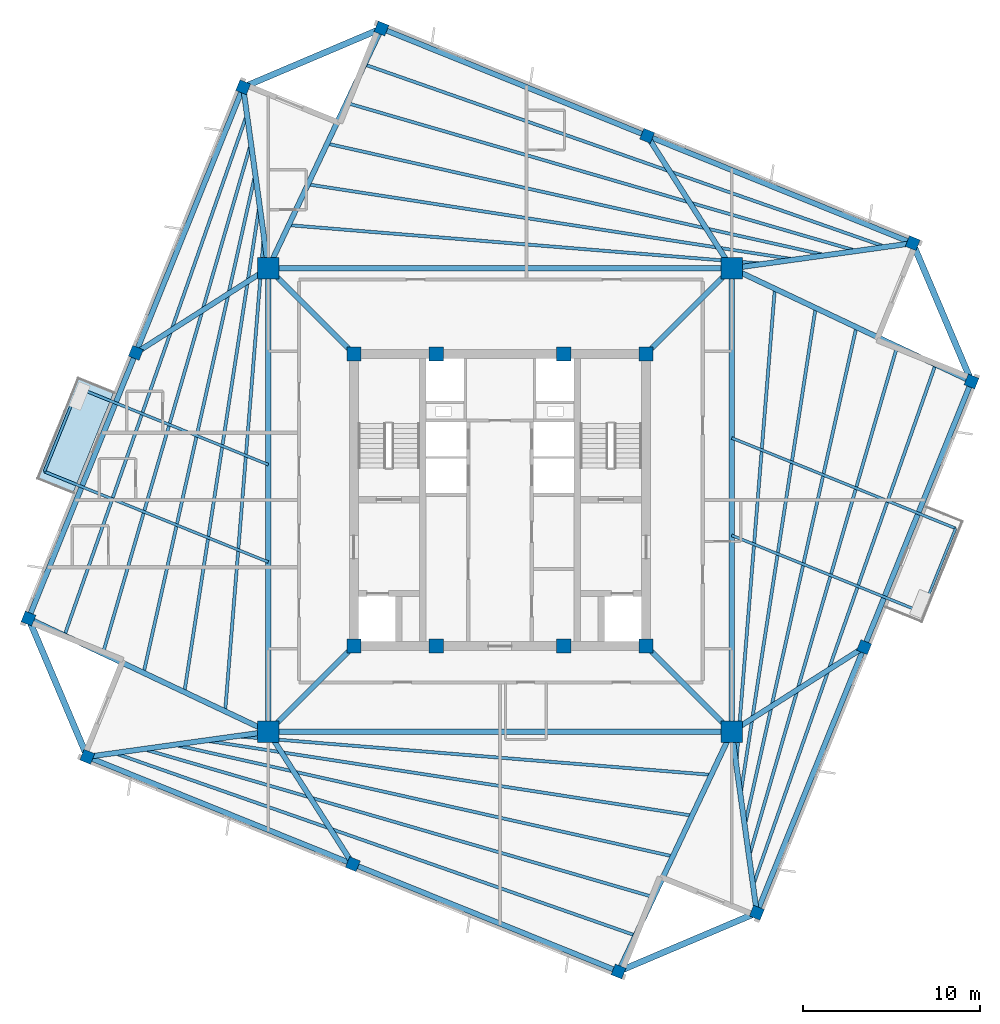
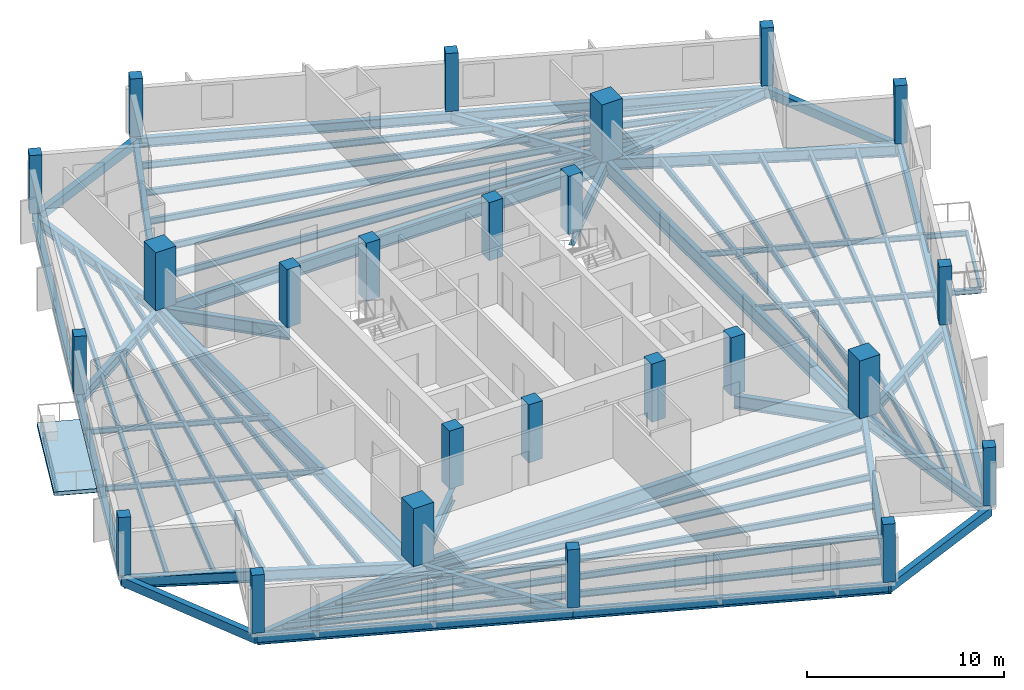
# One storey, part 1 of 8: 58 beams, 24 columns, 1 slab.
"""IFC4 building model written with IfcOpenShell, lengths in metres."""

from ifc_helpers import new_model, si_unit, direction, frame, origin, origin_2d, place, context, subcontext, project, spatial, polyline, rectangle, i_section, outline, extrude, source, transform, mapped, material, layer, layer_set, material_profile, profile_set, type_object, element, save


model = new_model("IFC4")

# Units and contexts
model_context = context("Model", 3, precision=1e-05, world=origin(), true_north=direction((0.0, 1.0)))
body_context = subcontext(model_context, "Body", "Model", "MODEL_VIEW")
ifc_project = project(units=[si_unit("LENGTHUNIT", "METRE"), si_unit("AREAUNIT", "SQUARE_METRE"), si_unit("VOLUMEUNIT", "CUBIC_METRE"), si_unit("PLANEANGLEUNIT", "RADIAN"), si_unit("MASSUNIT", "GRAM", prefix="KILO"), si_unit("THERMODYNAMICTEMPERATUREUNIT", "KELVIN")], contexts=[model_context])

# Site, building, storey
site_placement = place(None, origin())
site = spatial("IfcSite", under=ifc_project, at=site_placement, CompositionType="ELEMENT")
building_placement = place(site_placement, origin())
building = spatial("IfcBuilding", under=site, at=building_placement, Name="Kosmvard Interchange Tower", CompositionType="ELEMENT")
storey_placement = place(building_placement, frame((0.0, 0.0, 290.39990234375)))
storey = spatial("IfcBuildingStorey", under=building, at=storey_placement, Name="L71", CompositionType="ELEMENT", Elevation=290.39990234375)

# Columns
ifc_material_1 = material(Name="Concrete C50/60", Category="concrete")
ifc_material_profile_1 = material_profile(ifc_material_1, rectangle(XDim=0.800048828125, YDim=0.800048828125, at=origin_2d()), Name="CP 800x800")
ifc_profile_set_1 = profile_set([ifc_material_profile_1], Name="Concrete C50/60")
column_type_1 = type_object("IfcColumnType", Name="Core Boundary Pilaster 800x800 C50/60", PredefinedType="PILASTER", material=ifc_profile_set_1)
shared_shape_1 = source(origin(), body_context, "Body", "SweptSolid", [
    extrude(rectangle(XDim=0.800048828125, YDim=0.800048828125, at=origin_2d()), origin(), (0.0, 0.0, 1.0), 3.60009765625),
])
for number, where, z_axis, x_axis, name in (
    (1, (-8.25, -8.25, 0.0), (0.0, 0.0, 1.0), (1.0, 0.0, 0.0), "L71 Core Pilaster CP1"),
    (2, (8.25, -8.25, 0.0), (0.0, 0.0, 1.0), (1.0, 0.0, 0.0), "L71 Core Pilaster CP2"),
    (3, (8.25, 8.25, 0.0), (0.0, 0.0, 1.0), (1.0, 0.0, 0.0), "L71 Core Pilaster CP3"),
    (4, (-8.25, 8.25, 0.0), (0.0, 0.0, 1.0), (1.0, 0.0, 0.0), "L71 Core Pilaster CP4"),
    (5, (-3.60009765625, -8.25, 0.0), (0.0, 0.0, 1.0), (1.0, 0.0, 0.0), "L71 Core Pilaster CP5"),
    (6, (3.60009765625, -8.25, 0.0), (0.0, 0.0, 1.0), (1.0, 0.0, 0.0), "L71 Core Pilaster CP6"),
    (7, (-3.60009765625, 8.25, 0.0), (0.0, 0.0, 1.0), (1.0, 0.0, 0.0), "L71 Core Pilaster CP7"),
    (8, (3.60009765625, 8.25, 0.0), (0.0, 0.0, 1.0), (1.0, 0.0, 0.0), "L71 Core Pilaster CP8"),
):
    element("IfcColumn", number, at=place(storey_placement, frame(where, z_axis=z_axis, x_axis=x_axis)), inside=storey, type_object=column_type_1, Name=name, PredefinedType="PILASTER", context=body_context, shape_type="MappedRepresentation", body=[
        mapped(shared_shape_1, transform((0.0, 0.0, 0.0), scale=1.0)),
    ])
ifc_material_profile_2 = material_profile(ifc_material_1, rectangle(XDim=1.199951171875, YDim=1.199951171875, at=origin_2d()), Name="MC 1200x1200")
ifc_profile_set_2 = profile_set([ifc_material_profile_2], Name="Concrete C50/60")
column_type_2 = type_object("IfcColumnType", Name="Composite Mega-Column 1200x1200 C50/60", PredefinedType="COLUMN", material=ifc_profile_set_2)
shared_shape_2 = source(origin(), body_context, "Body", "SweptSolid", [
    extrude(rectangle(XDim=1.199951171875, YDim=1.199951171875, at=origin_2d()), origin(), (0.0, 0.0, 1.0), 3.60009765625),
])
for number, where, z_axis, x_axis, name in (
    (9, (-13.0810546875, -13.0810546875, 0.0), (0.0, 0.0, 1.0), (1.0, 0.0, 0.0), "L71 Corner Mega-Column MC1"),
    (10, (13.0810546875, -13.0810546875, 0.0), (0.0, 0.0, 1.0), (1.0, 0.0, 0.0), "L71 Corner Mega-Column MC2"),
    (11, (13.0810546875, 13.0810546875, 0.0), (0.0, 0.0, 1.0), (1.0, 0.0, 0.0), "L71 Corner Mega-Column MC3"),
    (12, (-13.0810546875, 13.0810546875, 0.0), (0.0, 0.0, 1.0), (1.0, 0.0, 0.0), "L71 Corner Mega-Column MC4"),
):
    element("IfcColumn", number, at=place(storey_placement, frame(where, z_axis=z_axis, x_axis=x_axis)), inside=storey, type_object=column_type_2, Name=name, PredefinedType="COLUMN", context=body_context, shape_type="MappedRepresentation", body=[
        mapped(shared_shape_2, transform((0.0, 0.0, 0.0), scale=1.0)),
    ])
ifc_material_profile_3 = material_profile(ifc_material_1, rectangle(XDim=0.64990234375, YDim=0.64990234375, at=origin_2d()), Name="TC 650x650")
ifc_profile_set_3 = profile_set([ifc_material_profile_3], Name="Concrete C50/60")
column_type_3 = type_object("IfcColumnType", Name="Zone 5 Perimeter Pier Column 650x650 C50/60", PredefinedType="COLUMN", material=ifc_profile_set_3)
shared_shape_3 = source(origin(), body_context, "Body", "SweptSolid", [
    extrude(rectangle(XDim=0.64990234375, YDim=0.64990234375, at=origin_2d()), origin(), (0.0, 0.0, 1.0), 3.60009765625),
])
for number, where, z_axis, x_axis, name in (
    (13, (14.5009765625, -23.30419921875, 0.0), (0.0, 0.0, 1.0), (0.374606593416, 0.927183854567, 0.0), "L71 Perimeter Pier Column TC-S1"),
    (14, (20.560302734375, -8.306884765625, 0.0), (0.0, 0.0, 1.0), (0.374606593416, 0.927183854567, 0.0), "L71 Perimeter Pier Column TC-S2"),
    (15, (26.61962890625, 6.690185546875, 0.0), (0.0, 0.0, 1.0), (0.374606593416, 0.927183854567, 0.0), "L71 Perimeter Pier Column TC-S3"),
    (16, (23.30419921875, 14.5009765625, 0.0), (0.0, 0.0, 1.0), (0.374606593416, 0.927183854567, 0.0), "L71 Perimeter Pier Column TC-E1"),
    (17, (8.306884765625, 20.560302734375, 0.0), (0.0, 0.0, 1.0), (0.374606593416, 0.927183854567, 0.0), "L71 Perimeter Pier Column TC-E2"),
    (18, (-6.690185546875, 26.61962890625, 0.0), (0.0, 0.0, 1.0), (0.374606593416, 0.927183854567, 0.0), "L71 Perimeter Pier Column TC-E3"),
    (19, (-14.5009765625, 23.30419921875, 0.0), (0.0, 0.0, 1.0), (0.374606593416, 0.927183854567, 0.0), "L71 Perimeter Pier Column TC-N1"),
    (20, (-20.560302734375, 8.306884765625, 0.0), (0.0, 0.0, 1.0), (0.374606593416, 0.927183854567, 0.0), "L71 Perimeter Pier Column TC-N2"),
    (21, (-26.61962890625, -6.690185546875, 0.0), (0.0, 0.0, 1.0), (0.374606593416, 0.927183854567, 0.0), "L71 Perimeter Pier Column TC-N3"),
    (22, (-23.30419921875, -14.5009765625, 0.0), (0.0, 0.0, 1.0), (0.374606593416, 0.927183854567, 0.0), "L71 Perimeter Pier Column TC-W1"),
    (23, (-8.306884765625, -20.560302734375, 0.0), (0.0, 0.0, 1.0), (0.374606593416, 0.927183854567, 0.0), "L71 Perimeter Pier Column TC-W2"),
    (24, (6.690185546875, -26.61962890625, 0.0), (0.0, 0.0, 1.0), (0.374606593416, 0.927183854567, 0.0), "L71 Perimeter Pier Column TC-W3"),
):
    element("IfcColumn", number, at=place(storey_placement, frame(where, z_axis=z_axis, x_axis=x_axis)), inside=storey, type_object=column_type_3, Name=name, PredefinedType="COLUMN", context=body_context, shape_type="MappedRepresentation", body=[
        mapped(shared_shape_3, transform((0.0, 0.0, 0.0), scale=1.0)),
    ])

# Beams
ifc_material_2 = material(Name="Steel S355", Category="steel")
ifc_material_profile_4 = material_profile(ifc_material_2, i_section(OverallWidth=0.14990234375, OverallDepth=0.300048828125, WebThickness=0.007080078125, FlangeThickness=0.0107421875, FilletRadius=0.014892578125, at=origin_2d()), Name="IPE 300")
ifc_profile_set_4 = profile_set([ifc_material_profile_4], Name="Steel S355")
beam_type_1 = type_object("IfcBeamType", Name="Balcony Edge Header Joist IPE 300 S355", PredefinedType="JOIST", material=ifc_profile_set_4)
shared_shape_4 = source(origin(), body_context, "Body", "SweptSolid", [
    extrude(i_section(OverallWidth=0.14990234375, OverallDepth=0.300048828125, WebThickness=0.007080078125, FlangeThickness=0.0107421875, FilletRadius=0.014892578125, at=origin_2d()), origin(), (0.0, 0.0, 1.0), 5.10009765625),
])
for number, where, z_axis, x_axis, name in (
    (25, (-23.812255859375, 6.331298828125, -0.39990234375), (-0.37458256161, -0.927193563684, 0.0), (0.927193563684, -0.37458256161, 0.0), "BM-L71-BJH1"),
    (26, (23.812255859375, -6.331298828125, -0.39990234375), (0.37458256161, 0.927193563684, 0.0), (-0.927193563684, 0.37458256161, 0.0), "BM-L71-BJH2"),
):
    element("IfcBeam", number, at=place(storey_placement, frame(where, z_axis=z_axis, x_axis=x_axis)), inside=storey, type_object=beam_type_1, Name=name, PredefinedType="JOIST", context=body_context, shape_type="MappedRepresentation", body=[
        mapped(shared_shape_4, transform((0.0, 0.0, 0.0), scale=1.0)),
    ])
ifc_material_profile_5 = material_profile(ifc_material_2, i_section(OverallWidth=0.300048828125, OverallDepth=0.800048828125, WebThickness=0.017578125, FlangeThickness=0.032958984375, FilletRadius=0.027099609375, at=origin_2d()), Name="HEB 800")
ifc_profile_set_5 = profile_set([ifc_material_profile_5], Name="Steel S355")
beam_type_2 = type_object("IfcBeamType", Name="Primary Mega-Frame Girder HEB 800 S355", PredefinedType="BEAM", material=ifc_profile_set_5)
shared_shape_5 = source(origin(), body_context, "Body", "SweptSolid", [
    extrude(i_section(OverallWidth=0.300048828125, OverallDepth=0.800048828125, WebThickness=0.017578125, FlangeThickness=0.032958984375, FilletRadius=0.027099609375, at=origin_2d()), origin(), (0.0, 0.0, 1.0), 6.83203125),
])
for number, where, z_axis, x_axis, name in (
    (27, (-8.25, -8.25, -0.64990234375), (-0.707106781187, -0.707106781187, 0.0), (0.707106781187, -0.707106781187, 0.0), "L71 Radial Mega-Frame Girder 1"),
    (28, (8.25, -8.25, -0.64990234375), (0.707106781187, -0.707106781187, 0.0), (0.707106781187, 0.707106781187, 0.0), "L71 Radial Mega-Frame Girder 2"),
    (29, (8.25, 8.25, -0.64990234375), (0.707106781187, 0.707106781187, 0.0), (-0.707106781187, 0.707106781187, 0.0), "L71 Radial Mega-Frame Girder 3"),
    (30, (-8.25, 8.25, -0.64990234375), (-0.707106781187, 0.707106781187, 0.0), (-0.707106781187, -0.707106781187, 0.0), "L71 Radial Mega-Frame Girder 4"),
):
    element("IfcBeam", number, at=place(storey_placement, frame(where, z_axis=z_axis, x_axis=x_axis)), inside=storey, type_object=beam_type_2, Name=name, PredefinedType="BEAM", context=body_context, shape_type="MappedRepresentation", body=[
        mapped(shared_shape_5, transform((0.0, 0.0, 0.0), scale=1.0)),
    ])
ifc_material_profile_6 = material_profile(ifc_material_2, i_section(OverallWidth=0.300048828125, OverallDepth=0.89990234375, WebThickness=0.0185546875, FlangeThickness=0.034912109375, FilletRadius=0.030029296875, at=origin_2d()), Name="HEB 900")
ifc_profile_set_6 = profile_set([ifc_material_profile_6], Name="Steel S355")
beam_type_3 = type_object("IfcBeamType", Name="Mega-Column Ring Girder HEB 900 S355", PredefinedType="BEAM", material=ifc_profile_set_6)
shared_shape_6 = source(origin(), body_context, "Body", "SweptSolid", [
    extrude(i_section(OverallWidth=0.300048828125, OverallDepth=0.89990234375, WebThickness=0.0185546875, FlangeThickness=0.034912109375, FilletRadius=0.030029296875, at=origin_2d()), origin(), (0.0, 0.0, 1.0), 26.162109375),
])
for number, where, z_axis, x_axis, name in (
    (31, (-13.0810546875, -13.0810546875, -0.699951171875), (1.0, 0.0, 0.0), (0.0, 1.0, 0.0), "L71 Mega-Column Ring Girder 1"),
    (32, (13.0810546875, -13.0810546875, -0.699951171875), (0.0, 1.0, 0.0), (-1.0, 0.0, 0.0), "L71 Mega-Column Ring Girder 2"),
    (33, (13.0810546875, 13.0810546875, -0.699951171875), (-1.0, 0.0, 0.0), (0.0, -1.0, 0.0), "L71 Mega-Column Ring Girder 3"),
    (34, (-13.0810546875, 13.0810546875, -0.699951171875), (0.0, -1.0, 0.0), (1.0, 0.0, 0.0), "L71 Mega-Column Ring Girder 4"),
):
    element("IfcBeam", number, at=place(storey_placement, frame(where, z_axis=z_axis, x_axis=x_axis)), inside=storey, type_object=beam_type_3, Name=name, PredefinedType="BEAM", context=body_context, shape_type="MappedRepresentation", body=[
        mapped(shared_shape_6, transform((0.0, 0.0, 0.0), scale=1.0)),
    ])
ifc_material_profile_7 = material_profile(ifc_material_2, i_section(OverallWidth=0.300048828125, OverallDepth=0.60009765625, WebThickness=0.015380859375, FlangeThickness=0.030029296875, FilletRadius=0.027099609375, at=origin_2d()), Name="HEB 600")
ifc_profile_set_7 = profile_set([ifc_material_profile_7], Name="Steel S355")
beam_type_4 = type_object("IfcBeamType", Name="Perimeter Tie Girder HEB 600 S355", PredefinedType="BEAM", material=ifc_profile_set_7)
shared_shape_7 = source(origin(), body_context, "Body", "SweptSolid", [
    extrude(i_section(OverallWidth=0.300048828125, OverallDepth=0.60009765625, WebThickness=0.015380859375, FlangeThickness=0.030029296875, FilletRadius=0.027099609375, at=origin_2d()), origin(), (0.0, 0.0, 1.0), 16.175048828125),
])
for number, where, z_axis, x_axis, name in (
    (35, (14.5009765625, -23.30419921875, -0.5498046875), (0.374607540279, 0.927183472009, 0.0), (-0.927183472009, 0.374607540279, 0.0), "BM-L71-PR01"),
    (36, (23.30419921875, 14.5009765625, -0.5498046875), (-0.927183472009, 0.374607540279, 0.0), (-0.374607540279, -0.927183472009, 0.0), "BM-L71-PR04"),
    (37, (-14.5009765625, 23.30419921875, -0.5498046875), (-0.374607540279, -0.927183472009, 0.0), (0.927183472009, -0.374607540279, 0.0), "BM-L71-PR07"),
    (38, (-23.30419921875, -14.5009765625, -0.5498046875), (0.927183472009, -0.374607540279, 0.0), (0.374607540279, 0.927183472009, 0.0), "BM-L71-PR10"),
):
    element("IfcBeam", number, at=place(storey_placement, frame(where, z_axis=z_axis, x_axis=x_axis)), inside=storey, type_object=beam_type_4, Name=name, PredefinedType="BEAM", context=body_context, shape_type="MappedRepresentation", body=[
        mapped(shared_shape_7, transform((0.0, 0.0, 0.0), scale=1.0)),
    ])
ifc_material_profile_8 = material_profile(ifc_material_2, i_section(OverallWidth=0.300048828125, OverallDepth=0.64990234375, WebThickness=0.01611328125, FlangeThickness=0.031005859375, FilletRadius=0.027099609375, at=origin_2d()), Name="HEB 650")
ifc_profile_set_8 = profile_set([ifc_material_profile_8], Name="Steel S355")
beam_type_5 = type_object("IfcBeamType", Name="Primary Floor Girder HEB 650 S355", PredefinedType="BEAM", material=ifc_profile_set_8)
shared_shape_8 = source(origin(), body_context, "Body", "SweptSolid", [
    extrude(i_section(OverallWidth=0.300048828125, OverallDepth=0.64990234375, WebThickness=0.01611328125, FlangeThickness=0.031005859375, FilletRadius=0.027099609375, at=origin_2d()), origin(), (0.0, 0.0, 1.0), 10.3212890625),
])
for number, where, z_axis, x_axis, name in (
    (39, (13.0810546875, -13.0810546875, -0.574951171875), (0.137572239014, -0.990491735984, 0.0), (0.990491735984, 0.137572239014, 0.0), "BM-L71-RD01"),
    (40, (13.0810546875, 13.0810546875, -0.574951171875), (0.990491735984, 0.137572239014, 0.0), (-0.137572239014, 0.990491735984, 0.0), "BM-L71-RD04"),
    (41, (-13.0810546875, 13.0810546875, -0.574951171875), (-0.137572239014, 0.990491735984, 0.0), (-0.990491735984, -0.137572239014, 0.0), "BM-L71-RD07"),
    (42, (-13.0810546875, -13.0810546875, -0.574951171875), (-0.990491735984, -0.137572239014, 0.0), (0.137572239014, -0.990491735984, 0.0), "BM-L71-RD10"),
):
    element("IfcBeam", number, at=place(storey_placement, frame(where, z_axis=z_axis, x_axis=x_axis)), inside=storey, type_object=beam_type_5, Name=name, PredefinedType="BEAM", context=body_context, shape_type="MappedRepresentation", body=[
        mapped(shared_shape_8, transform((0.0, 0.0, 0.0), scale=1.0)),
    ])
shared_shape_9 = source(origin(), body_context, "Body", "SweptSolid", [
    extrude(i_section(OverallWidth=0.300048828125, OverallDepth=0.60009765625, WebThickness=0.015380859375, FlangeThickness=0.030029296875, FilletRadius=0.027099609375, at=origin_2d()), origin(), (0.0, 0.0, 1.0), 16.1748046875),
])
for number, where, z_axis, x_axis, name in (
    (43, (20.560302734375, -8.306884765625, -0.5498046875), (0.374612782798, 0.92718135387, 0.0), (-0.92718135387, 0.374612782798, 0.0), "BM-L71-PR02"),
    (44, (8.306884765625, 20.560302734375, -0.5498046875), (-0.92718135387, 0.374612782798, 0.0), (-0.374612782798, -0.92718135387, 0.0), "BM-L71-PR05"),
    (45, (-20.560302734375, 8.306884765625, -0.5498046875), (-0.374612782798, -0.92718135387, 0.0), (0.92718135387, -0.374612782798, 0.0), "BM-L71-PR08"),
    (46, (-8.306884765625, -20.560302734375, -0.5498046875), (0.92718135387, -0.374612782798, 0.0), (0.374612782798, 0.92718135387, 0.0), "BM-L71-PR11"),
):
    element("IfcBeam", number, at=place(storey_placement, frame(where, z_axis=z_axis, x_axis=x_axis)), inside=storey, type_object=beam_type_4, Name=name, PredefinedType="BEAM", context=body_context, shape_type="MappedRepresentation", body=[
        mapped(shared_shape_9, transform((0.0, 0.0, 0.0), scale=1.0)),
    ])
shared_shape_10 = source(origin(), body_context, "Body", "SweptSolid", [
    extrude(i_section(OverallWidth=0.300048828125, OverallDepth=0.64990234375, WebThickness=0.01611328125, FlangeThickness=0.031005859375, FilletRadius=0.027099609375, at=origin_2d()), origin(), (0.0, 0.0, 1.0), 8.873046875),
])
for number, where, z_axis, x_axis, name in (
    (47, (13.0810546875, -13.0810546875, -0.574951171875), (0.842912916934, 0.538050011119, 0.0), (-0.538050011119, 0.842912916934, 0.0), "BM-L71-RD02"),
    (48, (13.0810546875, 13.0810546875, -0.574951171875), (-0.538050011119, 0.842912916934, 0.0), (-0.842912916934, -0.538050011119, 0.0), "BM-L71-RD05"),
    (49, (-13.0810546875, 13.0810546875, -0.574951171875), (-0.842912916934, -0.538050011119, 0.0), (0.538050011119, -0.842912916934, 0.0), "BM-L71-RD08"),
    (50, (-13.0810546875, -13.0810546875, -0.574951171875), (0.538050011119, -0.842912916934, 0.0), (0.842912916934, 0.538050011119, 0.0), "BM-L71-RD11"),
):
    element("IfcBeam", number, at=place(storey_placement, frame(where, z_axis=z_axis, x_axis=x_axis)), inside=storey, type_object=beam_type_5, Name=name, PredefinedType="BEAM", context=body_context, shape_type="MappedRepresentation", body=[
        mapped(shared_shape_10, transform((0.0, 0.0, 0.0), scale=1.0)),
    ])
ifc_material_3 = material(Name="Precast concrete C45/55", Category="concrete")
ifc_material_profile_9 = material_profile(ifc_material_3, rectangle(XDim=0.35009765625, YDim=0.550048828125, at=origin_2d()), Name="SL 350x550")
ifc_profile_set_9 = profile_set([ifc_material_profile_9], Name="Precast concrete C45/55")
beam_type_6 = type_object("IfcBeamType", Name="Precast Spandrel Lintel 350x550 C45/55", PredefinedType="LINTEL", material=ifc_profile_set_9)
shared_shape_11 = source(origin(), body_context, "Body", "SweptSolid", [
    extrude(rectangle(XDim=0.35009765625, YDim=0.550048828125, at=origin_2d()), origin(), (0.0, 0.0, 1.0), 8.4853515625),
])
for number, where, z_axis, x_axis, name in (
    (51, (26.61962890625, 6.690185546875, -0.52490234375), (-0.390725696857, 0.920507159025, 0.0), (-0.920507159025, -0.390725696857, 0.0), "BM-L71-SL1"),
    (52, (-6.690185546875, 26.61962890625, -0.52490234375), (-0.920507159025, -0.390725696857, 0.0), (0.390725696857, -0.920507159025, 0.0), "BM-L71-SL2"),
    (53, (-26.61962890625, -6.690185546875, -0.52490234375), (0.390725696857, -0.920507159025, 0.0), (0.920507159025, 0.390725696857, 0.0), "BM-L71-SL3"),
    (54, (6.690185546875, -26.61962890625, -0.52490234375), (0.920507159025, 0.390725696857, 0.0), (-0.390725696857, 0.920507159025, 0.0), "BM-L71-SL4"),
):
    element("IfcBeam", number, at=place(storey_placement, frame(where, z_axis=z_axis, x_axis=x_axis)), inside=storey, type_object=beam_type_6, Name=name, PredefinedType="LINTEL", context=body_context, shape_type="MappedRepresentation", body=[
        mapped(shared_shape_11, transform((0.0, 0.0, 0.0), scale=1.0)),
    ])
ifc_material_profile_10 = material_profile(ifc_material_2, i_section(OverallWidth=0.300048828125, OverallDepth=0.699951171875, WebThickness=0.01708984375, FlangeThickness=0.031982421875, FilletRadius=0.027099609375, at=origin_2d()), Name="HEB 700")
ifc_profile_set_10 = profile_set([ifc_material_profile_10], Name="Steel S355")
beam_type_7 = type_object("IfcBeamType", Name="Primary Floor Girder HEB 700 S355", PredefinedType="BEAM", material=ifc_profile_set_10)
shared_shape_12 = source(origin(), body_context, "Body", "SweptSolid", [
    extrude(i_section(OverallWidth=0.300048828125, OverallDepth=0.699951171875, WebThickness=0.01708984375, FlangeThickness=0.031982421875, FilletRadius=0.027099609375, at=origin_2d()), origin(), (0.0, 0.0, 1.0), 14.97119140625),
])
for number, where, z_axis, x_axis, name in (
    (55, (13.0810546875, 13.0810546875, -0.599853515625), (0.904309155001, -0.426878146761, 0.0), (0.426878146761, 0.904309155001, 0.0), "BM-L71-RD03"),
    (56, (-13.0810546875, 13.0810546875, -0.599853515625), (0.426878146761, 0.904309155001, 0.0), (-0.904309155001, 0.426878146761, 0.0), "BM-L71-RD06"),
    (57, (-13.0810546875, -13.0810546875, -0.599853515625), (-0.904309155001, 0.426878146761, 0.0), (-0.426878146761, -0.904309155001, 0.0), "BM-L71-RD09"),
    (58, (13.0810546875, -13.0810546875, -0.599853515625), (-0.426878146761, -0.904309155001, 0.0), (0.904309155001, -0.426878146761, 0.0), "BM-L71-RD12"),
):
    element("IfcBeam", number, at=place(storey_placement, frame(where, z_axis=z_axis, x_axis=x_axis)), inside=storey, type_object=beam_type_7, Name=name, PredefinedType="BEAM", context=body_context, shape_type="MappedRepresentation", body=[
        mapped(shared_shape_12, transform((0.0, 0.0, 0.0), scale=1.0)),
    ])
ifc_material_profile_11 = material_profile(ifc_material_2, i_section(OverallWidth=0.179931640625, OverallDepth=0.39990234375, WebThickness=0.008544921875, FlangeThickness=0.013427734375, FilletRadius=0.02099609375, at=origin_2d()), Name="IPE 400")
ifc_profile_set_11 = profile_set([ifc_material_profile_11], Name="Steel S355")
beam_type_8 = type_object("IfcBeamType", Name="Upper-Zone Floor Joist IPE 400 S355", PredefinedType="JOIST", material=ifc_profile_set_11)
shared_shape_13 = source(origin(), body_context, "Body", "SweptSolid", [
    extrude(i_section(OverallWidth=0.179931640625, OverallDepth=0.39990234375, WebThickness=0.008544921875, FlangeThickness=0.013427734375, FilletRadius=0.02099609375, at=origin_2d()), origin(), (0.0, 0.0, 1.0), 26.780029296875),
])
for number, where, z_axis, x_axis, name in (
    (59, (13.343017578125, -14.84130859375, -0.449951171875), (0.080972773487, 0.996716313679, 0.0), (-0.996716313679, 0.080972773487, 0.0), "BM-L71-FJ01"),
    (60, (14.84130859375, 13.343017578125, -0.449951171875), (-0.996716313679, 0.080972773487, 0.0), (-0.080972773487, -0.996716313679, 0.0), "BM-L71-FJ06"),
    (61, (-13.343017578125, 14.84130859375, -0.449951171875), (-0.080972773487, -0.996716313679, 0.0), (0.996716313679, -0.080972773487, 0.0), "BM-L71-FJ11"),
    (62, (-14.84130859375, -13.343017578125, -0.449951171875), (0.996716313679, -0.080972773487, 0.0), (0.080972773487, 0.996716313679, 0.0), "BM-L71-FJ16"),
):
    element("IfcBeam", number, at=place(storey_placement, frame(where, z_axis=z_axis, x_axis=x_axis)), inside=storey, type_object=beam_type_8, Name=name, PredefinedType="JOIST", context=body_context, shape_type="MappedRepresentation", body=[
        mapped(shared_shape_13, transform((0.0, 0.0, 0.0), scale=1.0)),
    ])
shared_shape_14 = source(origin(), body_context, "Body", "SweptSolid", [
    extrude(i_section(OverallWidth=0.179931640625, OverallDepth=0.39990234375, WebThickness=0.008544921875, FlangeThickness=0.013427734375, FilletRadius=0.02099609375, at=origin_2d()), origin(), (0.0, 0.0, 1.0), 27.66845703125),
])
for number, where, z_axis, x_axis, name in (
    (63, (13.590087890625, -16.580078125, -0.449951171875), (0.152421855854, 0.988315525456, 0.0), (-0.988315525456, 0.152421855854, 0.0), "BM-L71-FJ02"),
    (64, (16.580078125, 13.590087890625, -0.449951171875), (-0.988315525456, 0.152421855854, 0.0), (-0.152421855854, -0.988315525456, 0.0), "BM-L71-FJ07"),
    (65, (-13.590087890625, 16.580078125, -0.449951171875), (-0.152421855854, -0.988315525456, 0.0), (0.988315525456, -0.152421855854, 0.0), "BM-L71-FJ12"),
    (66, (-16.580078125, -13.590087890625, -0.449951171875), (0.988315525456, -0.152421855854, 0.0), (0.152421855854, 0.988315525456, 0.0), "BM-L71-FJ17"),
):
    element("IfcBeam", number, at=place(storey_placement, frame(where, z_axis=z_axis, x_axis=x_axis)), inside=storey, type_object=beam_type_8, Name=name, PredefinedType="JOIST", context=body_context, shape_type="MappedRepresentation", body=[
        mapped(shared_shape_14, transform((0.0, 0.0, 0.0), scale=1.0)),
    ])
shared_shape_15 = source(origin(), body_context, "Body", "SweptSolid", [
    extrude(i_section(OverallWidth=0.179931640625, OverallDepth=0.39990234375, WebThickness=0.008544921875, FlangeThickness=0.013427734375, FilletRadius=0.02099609375, at=origin_2d()), origin(), (0.0, 0.0, 1.0), 28.691162109375),
])
for number, where, z_axis, x_axis, name in (
    (67, (13.8369140625, -18.31884765625, -0.449951171875), (0.218415018158, 0.975855972899, 0.0), (-0.975855972899, 0.218415018158, 0.0), "BM-L71-FJ03"),
    (68, (18.31884765625, 13.8369140625, -0.449951171875), (-0.975855972899, 0.218415018158, 0.0), (-0.218415018158, -0.975855972899, 0.0), "BM-L71-FJ08"),
    (69, (-13.8369140625, 18.31884765625, -0.449951171875), (-0.218415018158, -0.975855972899, 0.0), (0.975855972899, -0.218415018158, 0.0), "BM-L71-FJ13"),
    (70, (-18.31884765625, -13.8369140625, -0.449951171875), (0.975855972899, -0.218415018158, 0.0), (0.218415018158, 0.975855972899, 0.0), "BM-L71-FJ18"),
):
    element("IfcBeam", number, at=place(storey_placement, frame(where, z_axis=z_axis, x_axis=x_axis)), inside=storey, type_object=beam_type_8, Name=name, PredefinedType="JOIST", context=body_context, shape_type="MappedRepresentation", body=[
        mapped(shared_shape_15, transform((0.0, 0.0, 0.0), scale=1.0)),
    ])
shared_shape_16 = source(origin(), body_context, "Body", "SweptSolid", [
    extrude(i_section(OverallWidth=0.179931640625, OverallDepth=0.39990234375, WebThickness=0.008544921875, FlangeThickness=0.013427734375, FilletRadius=0.02099609375, at=origin_2d()), origin(), (0.0, 0.0, 1.0), 29.83544921875),
])
for number, where, z_axis, x_axis, name in (
    (71, (14.0830078125, -20.05810546875, -0.449951171875), (0.27877586881, 0.960356191717, 0.0), (-0.960356191717, 0.27877586881, 0.0), "BM-L71-FJ04"),
    (72, (20.05810546875, 14.0830078125, -0.449951171875), (-0.960356191717, 0.27877586881, 0.0), (-0.27877586881, -0.960356191717, 0.0), "BM-L71-FJ09"),
    (73, (-14.0830078125, 20.05810546875, -0.449951171875), (-0.27877586881, -0.960356191717, 0.0), (0.960356191717, -0.27877586881, 0.0), "BM-L71-FJ14"),
    (74, (-20.05810546875, -14.0830078125, -0.449951171875), (0.960356191717, -0.27877586881, 0.0), (0.27877586881, 0.960356191717, 0.0), "BM-L71-FJ19"),
):
    element("IfcBeam", number, at=place(storey_placement, frame(where, z_axis=z_axis, x_axis=x_axis)), inside=storey, type_object=beam_type_8, Name=name, PredefinedType="JOIST", context=body_context, shape_type="MappedRepresentation", body=[
        mapped(shared_shape_16, transform((0.0, 0.0, 0.0), scale=1.0)),
    ])
shared_shape_17 = source(origin(), body_context, "Body", "SweptSolid", [
    extrude(i_section(OverallWidth=0.179931640625, OverallDepth=0.39990234375, WebThickness=0.008544921875, FlangeThickness=0.013427734375, FilletRadius=0.02099609375, at=origin_2d()), origin(), (0.0, 0.0, 1.0), 31.0107421875),
])
for number, where, z_axis, x_axis, name in (
    (75, (14.314453125, -21.695068359375, -0.449951171875), (0.330459834828, 0.943820055713, 0.0), (-0.943820055713, 0.330459834828, 0.0), "BM-L71-FJ05"),
    (76, (21.695068359375, 14.314453125, -0.449951171875), (-0.943820055713, 0.330459834828, 0.0), (-0.330459834828, -0.943820055713, 0.0), "BM-L71-FJ10"),
    (77, (-14.314453125, 21.695068359375, -0.449951171875), (-0.330459834828, -0.943820055713, 0.0), (0.943820055713, -0.330459834828, 0.0), "BM-L71-FJ15"),
    (78, (-21.695068359375, -14.314453125, -0.449951171875), (0.943820055713, -0.330459834828, 0.0), (0.330459834828, 0.943820055713, 0.0), "BM-L71-FJ20"),
):
    element("IfcBeam", number, at=place(storey_placement, frame(where, z_axis=z_axis, x_axis=x_axis)), inside=storey, type_object=beam_type_8, Name=name, PredefinedType="JOIST", context=body_context, shape_type="MappedRepresentation", body=[
        mapped(shared_shape_17, transform((0.0, 0.0, 0.0), scale=1.0)),
    ])
ifc_material_profile_12 = material_profile(ifc_material_2, i_section(OverallWidth=0.159912109375, OverallDepth=0.330078125, WebThickness=0.007568359375, FlangeThickness=0.011474609375, FilletRadius=0.01806640625, at=origin_2d()), Name="IPE 330")
ifc_profile_set_12 = profile_set([ifc_material_profile_12], Name="Steel S355")
beam_type_9 = type_object("IfcBeamType", Name="Balcony Cantilever Joist IPE 330 S355", PredefinedType="JOIST", material=ifc_profile_set_12)
shared_shape_18 = source(origin(), body_context, "Body", "SweptSolid", [
    extrude(i_section(OverallWidth=0.159912109375, OverallDepth=0.330078125, WebThickness=0.007568359375, FlangeThickness=0.011474609375, FilletRadius=0.01806640625, at=origin_2d()), origin(), (0.0, 0.0, 1.0), 11.573974609375),
])
for number, where, z_axis, x_axis, name in (
    (79, (-13.0810546875, 1.99560546875, -0.414794921875), (-0.927183654967, 0.374607087443, 0.0), (-0.374607087443, -0.927183654967, 0.0), "BM-L71-BJ1"),
    (80, (13.0810546875, -1.99560546875, -0.414794921875), (0.927183654967, -0.374607087443, 0.0), (0.374607087443, 0.927183654967, 0.0), "BM-L71-BJ2"),
):
    element("IfcBeam", number, at=place(storey_placement, frame(where, z_axis=z_axis, x_axis=x_axis)), inside=storey, type_object=beam_type_9, Name=name, PredefinedType="JOIST", context=body_context, shape_type="MappedRepresentation", body=[
        mapped(shared_shape_18, transform((0.0, 0.0, 0.0), scale=1.0)),
    ])
shared_shape_19 = source(origin(), body_context, "Body", "SweptSolid", [
    extrude(i_section(OverallWidth=0.159912109375, OverallDepth=0.330078125, WebThickness=0.007568359375, FlangeThickness=0.011474609375, FilletRadius=0.01806640625, at=origin_2d()), origin(), (0.0, 0.0, 1.0), 13.63427734375),
])
for number, where, z_axis, x_axis, name in (
    (81, (-13.0810546875, -3.5048828125, -0.414794921875), (-0.927186827234, 0.374599235723, 0.0), (-0.374599235723, -0.927186827234, 0.0), "BM-L71-BJB1"),
    (82, (13.0810546875, 3.5048828125, -0.414794921875), (0.927186827234, -0.374599235723, 0.0), (0.374599235723, 0.927186827234, 0.0), "BM-L71-BJB2"),
):
    element("IfcBeam", number, at=place(storey_placement, frame(where, z_axis=z_axis, x_axis=x_axis)), inside=storey, type_object=beam_type_9, Name=name, PredefinedType="JOIST", context=body_context, shape_type="MappedRepresentation", body=[
        mapped(shared_shape_19, transform((0.0, 0.0, 0.0), scale=1.0)),
    ])

# Slab
ifc_layer = layer(ifc_material_1, 0.22998046875, Name="Concrete C50/60")
ifc_layer_set = layer_set([ifc_layer], Name="Concrete C50/60")
slab_type = type_object("IfcSlabType", Name="Tree-Planter Cantilever Balcony Slab 230 C50/60", PredefinedType="FLOOR", material=ifc_layer_set)
slab_placement = place(storey_placement, frame((0.0, 0.0, -0.22998046875)))
element("IfcSlab", 83, at=slab_placement, inside=storey, type_object=slab_type, Name="L71 Outdoor Terrace Balcony Slab BAL-L71-NE", PredefinedType="FLOOR", context=body_context, shape_type="SweptSolid", body=[
    extrude(outline(polyline([(-24.12060546875, 0.362060546875), (-21.798095703125, 6.110595703125), (-23.837890625, 6.934814453125), (-26.160400390625, 1.186279296875), (-24.12060546875, 0.362060546875)])), origin(), (0.0, 0.0, 1.0), 0.22998046875),
])

save(model, "model.ifc")
